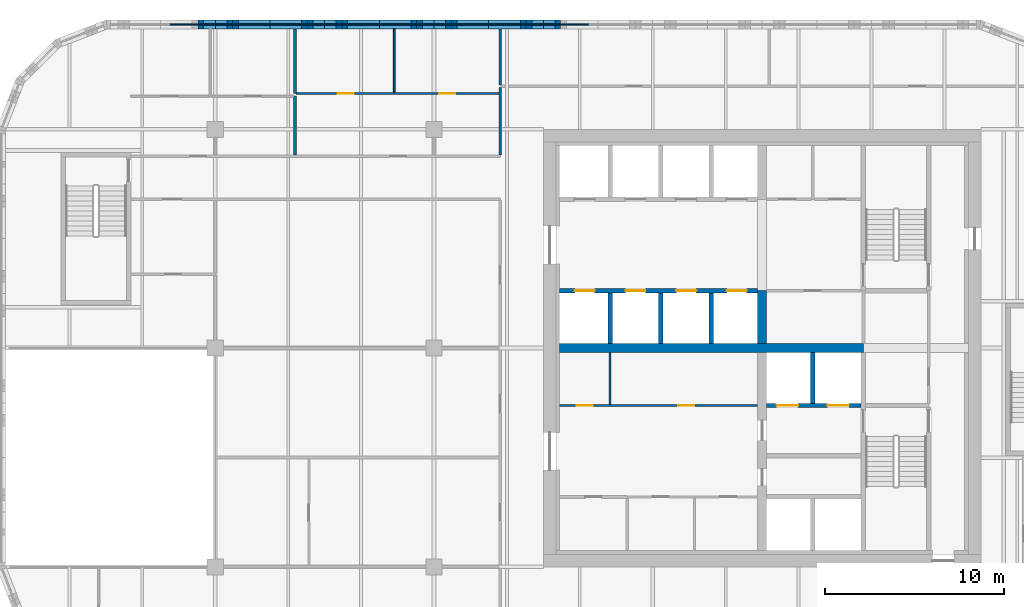
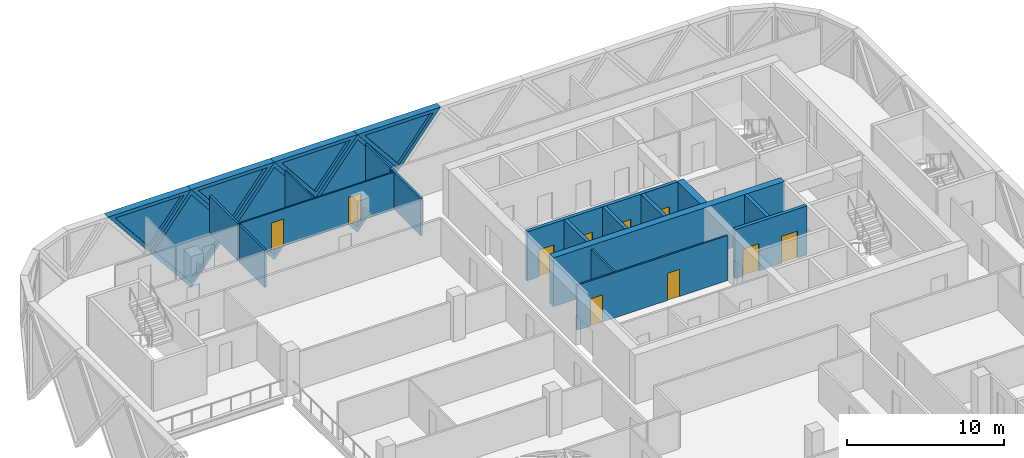
# One storey, part 11 of 15: 23 walls, 10 doors, 7 plates, 17 openings.
"""IFC4 building model written with IfcOpenShell, lengths in metres."""

import ifcopenshell
import ifcopenshell.guid

model = None  # the IFC model being written
_history = None  # IfcOwnerHistory: only IFC2X3 demands one
_inside = {}  # id of a spatial element -> (the spatial element, [elements in it])
_under = {}  # id of a project, library or spatial element -> (it, [spatial elements below it])
_declared = {}  # id of a project -> (the project, [libraries it declares])
_typed = {}  # id of a type object -> (the type object, [elements of that type])
_made_of = {}  # id of a material, layer set ... -> (it, [elements and type objects made of it])


def new_model(schema):
    """Start an empty IFC model of exactly this schema.

    Asked for "IFC4X3", IfcOpenShell would pick the latest addendum, in which some entities
    have other attributes; the version numbers below select the first issue.
    IFC2X3 requires an IfcOwnerHistory on every rooted entity: one is made here for all.
    """
    global model, _history
    if schema == "IFC4X3":
        model = ifcopenshell.file(schema_version=(4, 3, 0, 0))
    else:
        model = ifcopenshell.file(schema=schema)
    _inside.clear()
    _under.clear()
    _declared.clear()
    _typed.clear()
    _made_of.clear()
    _history = None
    if model.schema == "IFC2X3":
        org = make("IfcOrganization", Name="unknown")
        user = make(
            "IfcPersonAndOrganization",
            ThePerson=make("IfcPerson", FamilyName="unknown"),
            TheOrganization=org,
        )
        app = make(
            "IfcApplication",
            ApplicationDeveloper=org,
            Version="unknown",
            ApplicationFullName="unknown",
            ApplicationIdentifier="unknown",
        )
        _history = make(
            "IfcOwnerHistory",
            OwningUser=user,
            OwningApplication=app,
            ChangeAction="ADDED",
            CreationDate=0,
        )
    return model


def make(cls, **values):
    """One entity of the class cls with the attributes given. An attribute that is None is left unset."""
    return model.create_entity(
        cls, **{name: value for name, value in values.items() if value is not None}
    )


def rooted(cls, **values):
    """An entity with a GlobalId (a new one), such as an element, a storey or a relation."""
    return make(cls, GlobalId=ifcopenshell.guid.new(), OwnerHistory=_history, **values)


def si_unit(unit_type, name, prefix=None):
    """IfcSIUnit, for example si_unit("LENGTHUNIT", "METRE", prefix="MILLI")."""
    return make("IfcSIUnit", UnitType=unit_type, Prefix=prefix, Name=name)


def assignment(units):
    """IfcUnitAssignment: the units of a project."""
    return None if units is None else make("IfcUnitAssignment", Units=units)


def point(xyz):
    """IfcCartesianPoint."""
    return None if xyz is None else make("IfcCartesianPoint", Coordinates=xyz)


def direction(xyz):
    """IfcDirection."""
    return None if xyz is None else make("IfcDirection", DirectionRatios=xyz)


def frame(location, z_axis=None, x_axis=None):
    """IfcAxis2Placement3D, a coordinate frame: its origin and axes. An axis left out is left unset."""
    return make(
        "IfcAxis2Placement3D",
        Location=point(location),
        Axis=direction(z_axis),
        RefDirection=direction(x_axis),
    )


def frame_2d(location, x_axis=None):
    """IfcAxis2Placement2D, a coordinate frame in the plane: its origin and x axis."""
    return make(
        "IfcAxis2Placement2D", Location=point(location), RefDirection=direction(x_axis)
    )


def origin():
    """The frame at (0, 0, 0) with its axes left unset."""
    return frame((0.0, 0.0, 0.0))


def place(relative_to, where):
    """IfcLocalPlacement: puts the frame where relative to a parent placement (None: the world)."""
    return make(
        "IfcLocalPlacement", PlacementRelTo=relative_to, RelativePlacement=where
    )


def context(
    kind, dimensions, precision=None, world=None, true_north=None, identifier=None
):
    """IfcGeometricRepresentationContext, for example the 3D "Model" context."""
    return make(
        "IfcGeometricRepresentationContext",
        ContextIdentifier=identifier,
        ContextType=kind,
        CoordinateSpaceDimension=dimensions,
        Precision=precision,
        WorldCoordinateSystem=world,
        TrueNorth=true_north,
    )


def subcontext(parent, identifier, kind, view, scale=None):
    """IfcGeometricRepresentationSubContext, for example "Body" below "Model"."""
    return make(
        "IfcGeometricRepresentationSubContext",
        ContextIdentifier=identifier,
        ContextType=kind,
        ParentContext=parent,
        TargetScale=scale,
        TargetView=view,
    )


def project(units=None, contexts=None):
    """IfcProject with its units and contexts."""
    return rooted(
        "IfcProject",
        Name="project",
        RepresentationContexts=contexts,
        UnitsInContext=assignment(units),
    )


def spatial(cls, under=None, at=None, **own):
    """A site, building, storey or space (cls), placed at a placement, below another one or the project."""
    s = rooted(cls, ObjectPlacement=at, **own)
    if under is not None:
        _under.setdefault(under.id(), (under, []))[1].append(s)
    return s


def polyline(points):
    """IfcPolyline through the points."""
    return make("IfcPolyline", Points=[point(p) for p in points])


def profile(cls, at=None, kind="AREA", **sizes):
    """A parametric profile (cls). Its sizes go by their IFC names, for example OverallWidth=200.0."""
    return make(cls, ProfileType=kind, Position=at, **sizes)


def rectangle(**sizes):
    """IfcRectangleProfileDef."""
    return profile("IfcRectangleProfileDef", **sizes)


def outline(outer, holes=None, kind="AREA"):
    """IfcArbitraryClosedProfileDef: a profile drawn as a closed curve; with holes, ...WithVoids."""
    if holes is None:
        return make("IfcArbitraryClosedProfileDef", ProfileType=kind, OuterCurve=outer)
    return make(
        "IfcArbitraryProfileDefWithVoids",
        ProfileType=kind,
        OuterCurve=outer,
        InnerCurves=holes,
    )


def extrude(swept, where, along, depth):
    """IfcExtrudedAreaSolid: the profile swept, set in the frame where, extruded along a direction by depth."""
    return make(
        "IfcExtrudedAreaSolid",
        SweptArea=swept,
        Position=where,
        ExtrudedDirection=direction(along),
        Depth=depth,
    )


def faces_of(points, faces, orient=None, outer=None):
    """IfcFace entities. A face is a list of loops; a loop is a list of indices into points, from 0.

    orient and outer hold one flag for each loop. By default every Orientation is true, the
    first loop of a face is its IfcFaceOuterBound and the others are IfcFaceBound.
    """
    made = []
    for i, loops in enumerate(faces):
        bounds = []
        for j, loop in enumerate(loops):
            is_outer = j == 0 if outer is None else outer[i][j]
            bounds.append(
                make(
                    "IfcFaceOuterBound" if is_outer else "IfcFaceBound",
                    Bound=make("IfcPolyLoop", Polygon=[points[k] for k in loop]),
                    Orientation=True if orient is None else orient[i][j],
                )
            )
        made.append(make("IfcFace", Bounds=bounds))
    return made


def faceted_brep(points, faces, orient=None, outer=None, voids=None):
    """IfcFacetedBrep: a solid bounded by flat faces; with voids (closed shells), ...WithVoids."""
    shared = [point(p) for p in points]
    hull = make("IfcClosedShell", CfsFaces=faces_of(shared, faces, orient, outer))
    if voids is None:
        return make("IfcFacetedBrep", Outer=hull)
    return make(
        "IfcFacetedBrepWithVoids",
        Outer=hull,
        Voids=[
            make(cls, CfsFaces=faces_of(shared, fs, o, b)) for cls, fs, o, b in voids
        ],
    )


def shape(context_of_items, identifier, shape_type, items):
    """IfcShapeRepresentation: the items that make up one representation, for example the "Body"."""
    return make(
        "IfcShapeRepresentation",
        ContextOfItems=context_of_items,
        RepresentationIdentifier=identifier,
        RepresentationType=shape_type,
        Items=items,
    )


def source(mapping_origin, context_of_items, identifier, shape_type, items):
    """IfcRepresentationMap: a shape defined once, which mapped items show again and again."""
    return make(
        "IfcRepresentationMap",
        MappingOrigin=mapping_origin,
        MappedRepresentation=shape(context_of_items, identifier, shape_type, items),
    )


def transform(
    local_origin,
    x_axis=None,
    y_axis=None,
    z_axis=None,
    scale=None,
    scale2=None,
    scale3=None,
    uniform=True,
):
    """IfcCartesianTransformationOperator3D, or its non-uniform kind. x_axis, y_axis, z_axis: its Axis1, 2, 3."""
    if uniform:
        return make(
            "IfcCartesianTransformationOperator3D",
            Axis1=direction(x_axis),
            Axis2=direction(y_axis),
            LocalOrigin=point(local_origin),
            Scale=scale,
            Axis3=direction(z_axis),
        )
    return make(
        "IfcCartesianTransformationOperator3DnonUniform",
        Axis1=direction(x_axis),
        Axis2=direction(y_axis),
        LocalOrigin=point(local_origin),
        Scale=scale,
        Axis3=direction(z_axis),
        Scale2=scale2,
        Scale3=scale3,
    )


def mapped(mapping_source, mapping_target):
    """IfcMappedItem: shows the shape of a source again, moved by a transform."""
    return make(
        "IfcMappedItem", MappingSource=mapping_source, MappingTarget=mapping_target
    )


def material(Name=None, Category=None):
    """IfcMaterial."""
    return make("IfcMaterial", Name=Name, Category=Category)


def layer(
    of_material, thickness, ventilated=None, Name=None, Category=None, Priority=None
):
    """IfcMaterialLayer: one layer of a wall or slab, of a material (None: an air gap)."""
    return make(
        "IfcMaterialLayer",
        Material=of_material,
        LayerThickness=thickness,
        IsVentilated=ventilated,
        Name=Name,
        Category=Category,
        Priority=Priority,
    )


def layer_set(layers, Name=None):
    """IfcMaterialLayerSet."""
    return make("IfcMaterialLayerSet", MaterialLayers=layers, LayerSetName=Name)


def made_of(thing, what):
    """Note that an element or type object is made of a material, layer set ...; save() writes the relation."""
    if what is not None:
        _made_of.setdefault(what.id(), (what, []))[1].append(thing)
    return thing


def type_object(cls, material=None, **own):
    """A type object (cls), such as IfcWallType, which elements share."""
    return made_of(rooted(cls, **own), material)


def element(
    cls,
    number,
    at=None,
    inside=None,
    cuts=None,
    type_object=None,
    material=None,
    context=None,
    identifier="Body",
    shape_type=None,
    held_by="IfcProductDefinitionShape",
    body=None,
    shapes=None,
    **own,
):
    """One element of the class cls, such as IfcWall. Its Tag is "e" and its number.

    at: its placement. inside: the storey or other place that contains it. cuts: it is an
    opening in that element (IfcRelVoidsElement). A single representation is given by context,
    identifier, shape_type and body (its items); several are given by shapes. held_by: the class
    of the entity that holds the representations. save() writes the other relations.
    """
    e = rooted(cls, Tag="e%d" % number, ObjectPlacement=at, **own)
    if body is not None:
        shapes = [shape(context, identifier, shape_type, body)]
    if shapes is not None:
        e.Representation = make(held_by, Representations=shapes)
    if inside is not None:
        _inside.setdefault(inside.id(), (inside, []))[1].append(e)
    if cuts is not None:
        rooted(
            "IfcRelVoidsElement", RelatingBuildingElement=cuts, RelatedOpeningElement=e
        )
    if type_object is not None:
        _typed.setdefault(type_object.id(), (type_object, []))[1].append(e)
    return made_of(e, material)


def fill(opening, filler):
    """IfcRelFillsElement: the door or window that sits in an opening."""
    return rooted(
        "IfcRelFillsElement",
        RelatingOpeningElement=opening,
        RelatedBuildingElement=filler,
    )


def aggregate(whole, parts):
    """IfcRelAggregates: a whole, such as a stair, and the parts it consists of."""
    return rooted("IfcRelAggregates", RelatingObject=whole, RelatedObjects=parts)


def save(model, path):
    """Write the relations noted so far, then the file.

    IfcRelAggregates (storeys below a building ...), IfcRelContainedInSpatialStructure (elements
    in a storey), IfcRelDefinesByType, IfcRelAssociatesMaterial and IfcRelDeclares: one each for
    every whole, place, type object, material and project.
    """
    for whole, parts in _under.values():
        aggregate(whole, parts)
    for where, things in _inside.values():
        rooted(
            "IfcRelContainedInSpatialStructure",
            RelatedElements=things,
            RelatingStructure=where,
        )
    for kind, things in _typed.values():
        rooted("IfcRelDefinesByType", RelatedObjects=things, RelatingType=kind)
    for what, things in _made_of.values():
        rooted("IfcRelAssociatesMaterial", RelatedObjects=things, RelatingMaterial=what)
    for by, libraries in _declared.values():
        rooted("IfcRelDeclares", RelatingContext=by, RelatedDefinitions=libraries)
    model.write(path)


model = new_model("IFC4")

# Units and contexts
model_context = context("Model", 3, precision=1e-05, world=origin(), true_north=direction((0.0, 1.0)))
body_context = subcontext(model_context, "Body", "Model", "MODEL_VIEW")
ifc_project = project(units=[si_unit("LENGTHUNIT", "METRE"), si_unit("AREAUNIT", "SQUARE_METRE"), si_unit("VOLUMEUNIT", "CUBIC_METRE"), si_unit("PLANEANGLEUNIT", "RADIAN"), si_unit("MASSUNIT", "GRAM", prefix="KILO")], contexts=[model_context])

# Site, building, storey
site_placement = place(None, origin())
site = spatial("IfcSite", under=ifc_project, at=site_placement, CompositionType="ELEMENT")
building_placement = place(site_placement, origin())
building = spatial("IfcBuilding", under=site, at=building_placement, Name="Tessera Gate Towers", CompositionType="ELEMENT")
storey_placement = place(building_placement, frame((0.0, 0.0, 146.800048828125)))
storey = spatial("IfcBuildingStorey", under=building, at=storey_placement, Name="L36", CompositionType="ELEMENT", Elevation=146.800048828125)

# Wall, openings, doors
ifc_material_1 = material(Name="Concrete C40/50", Category="concrete")
ifc_layer_1 = layer(ifc_material_1, 0.25)
ifc_layer_set_1 = layer_set([ifc_layer_1], Name="CORE ENCLOSURE WALL 250")
wall_type_1 = type_object("IfcWallType", Name="CORE ENCLOSURE WALL 250", PredefinedType="SOLIDWALL", material=ifc_layer_set_1)
wall_1_placement = place(storey_placement, frame((31.39990234375, 39.800048828125, 0.0), z_axis=(0.0, 0.0, 1.0), x_axis=(1.0, 0.0, 0.0)))
wall_1 = element("IfcWall", 1, at=wall_1_placement, inside=storey, type_object=wall_type_1, Name="L36 shaft and stair enclosure wall", PredefinedType="SOLIDWALL", context=body_context, shape_type="SweptSolid", body=[
    extrude(rectangle(XDim=11.050048828125, YDim=0.25, at=frame_2d((5.52490234375, 0.0))), origin(), (0.0, 0.0, 1.0), 3.800048828125),
])
shared_shape_1 = source(origin(), body_context, "Body", "SweptSolid", [
    extrude(rectangle(XDim=1.10009765625, YDim=2.10009765625, at=frame_2d((0.550048828125, 1.050048828125))), frame((0.0, 0.135009765625, 0.0), z_axis=(0.0, -1.0, 0.0), x_axis=(1.0, 0.0, 0.0)), (0.0, 0.0, 1.0), 0.27001953125),
])
opening_1_placement = place(wall_1_placement, frame((0.862548828125, 0.0, 0.0)))
opening_1 = element("IfcOpeningElement", 2, at=opening_1_placement, cuts=wall_1, Name="Opening LD-HR1", PredefinedType="OPENING", context=body_context, shape_type="MappedRepresentation", body=[
    mapped(shared_shape_1, transform((0.0, 0.0, 0.0), scale=1.0)),
])
opening_2_placement = place(wall_1_placement, frame((3.6875, 0.0, 0.0)))
opening_2 = element("IfcOpeningElement", 3, at=opening_2_placement, cuts=wall_1, Name="Opening LD-HR2", PredefinedType="OPENING", context=body_context, shape_type="MappedRepresentation", body=[
    mapped(shared_shape_1, transform((0.0, 0.0, 0.0), scale=1.0)),
])
opening_3_placement = place(wall_1_placement, frame((6.512451171875, 0.0, 0.0)))
opening_3 = element("IfcOpeningElement", 4, at=opening_3_placement, cuts=wall_1, Name="Opening LD-HR3", PredefinedType="OPENING", context=body_context, shape_type="MappedRepresentation", body=[
    mapped(shared_shape_1, transform((0.0, 0.0, 0.0), scale=1.0)),
])
opening_4_placement = place(wall_1_placement, frame((9.33740234375, 0.0, 0.0)))
opening_4 = element("IfcOpeningElement", 5, at=opening_4_placement, cuts=wall_1, Name="Opening LD-HR4", PredefinedType="OPENING", context=body_context, shape_type="MappedRepresentation", body=[
    mapped(shared_shape_1, transform((0.0, 0.0, 0.0), scale=1.0)),
])
ifc_material_2 = material(Name="Stainless steel", Category="steel")
door_type_1 = type_object("IfcDoorType", Name="CORE DOOR LD 1100x2100", OperationType="DOUBLE_DOOR_SLIDING", PredefinedType="DOOR", material=ifc_material_2)
shared_shape_2 = source(origin(), body_context, "Body", "SweptSolid", [
    extrude(rectangle(XDim=1.10009765625, YDim=2.10009765625, at=frame_2d((0.550048828125, 1.050048828125))), frame((0.0, 0.02490234375, 0.0), z_axis=(0.0, -1.0, 0.0), x_axis=(1.0, 0.0, 0.0)), (0.0, 0.0, 1.0), 0.050048828125),
])
door_1_placement = place(opening_1_placement, origin())
door_1 = element("IfcDoor", 6, at=door_1_placement, inside=storey, type_object=door_type_1, Name="Landing door HR1 L36", OperationType="DOUBLE_DOOR_SLIDING", OverallHeight=2.10009765625, OverallWidth=1.10009765625, PredefinedType="DOOR", context=body_context, shape_type="MappedRepresentation", body=[
    mapped(shared_shape_2, transform((0.0, 0.0, 0.0), scale=1.0)),
])
fill(opening_1, door_1)
door_2_placement = place(opening_2_placement, origin())
door_2 = element("IfcDoor", 7, at=door_2_placement, inside=storey, type_object=door_type_1, Name="Landing door HR2 L36", OperationType="DOUBLE_DOOR_SLIDING", OverallHeight=2.10009765625, OverallWidth=1.10009765625, PredefinedType="DOOR", context=body_context, shape_type="MappedRepresentation", body=[
    mapped(shared_shape_2, transform((0.0, 0.0, 0.0), scale=1.0)),
])
fill(opening_2, door_2)
door_3_placement = place(opening_3_placement, origin())
door_3 = element("IfcDoor", 8, at=door_3_placement, inside=storey, type_object=door_type_1, Name="Landing door HR3 L36", OperationType="DOUBLE_DOOR_SLIDING", OverallHeight=2.10009765625, OverallWidth=1.10009765625, PredefinedType="DOOR", context=body_context, shape_type="MappedRepresentation", body=[
    mapped(shared_shape_2, transform((0.0, 0.0, 0.0), scale=1.0)),
])
fill(opening_3, door_3)
door_4_placement = place(opening_4_placement, origin())
door_4 = element("IfcDoor", 9, at=door_4_placement, inside=storey, type_object=door_type_1, Name="Landing door HR4 L36", OperationType="DOUBLE_DOOR_SLIDING", OverallHeight=2.10009765625, OverallWidth=1.10009765625, PredefinedType="DOOR", context=body_context, shape_type="MappedRepresentation", body=[
    mapped(shared_shape_2, transform((0.0, 0.0, 0.0), scale=1.0)),
])
fill(opening_4, door_4)

wall_2_placement = place(storey_placement, frame((48.22509765625, 33.39990234375, 0.0), z_axis=(0.0, 0.0, 1.0), x_axis=(-1.0, 0.0, 0.0)))
wall_2 = element("IfcWall", 10, at=wall_2_placement, inside=storey, type_object=wall_type_1, Name="L36 shaft and stair enclosure wall", PredefinedType="SOLIDWALL", context=body_context, shape_type="SweptSolid", body=[
    extrude(rectangle(XDim=5.275146484375, YDim=0.25, at=frame_2d((2.6376953125, 0.0))), origin(), (0.0, 0.0, 1.0), 3.800048828125),
])
shared_shape_3 = source(origin(), body_context, "Body", "SweptSolid", [
    extrude(rectangle(XDim=1.199951171875, YDim=2.10009765625, at=frame_2d((0.60009765625, 1.050048828125))), frame((0.0, 0.135009765625, 0.0), z_axis=(0.0, -1.0, 0.0), x_axis=(1.0, 0.0, 0.0)), (0.0, 0.0, 1.0), 0.27001953125),
])
opening_5_placement = place(wall_2_placement, frame((3.512451171875, 0.0, 0.0)))
opening_5 = element("IfcOpeningElement", 11, at=opening_5_placement, cuts=wall_2, Name="Opening LD-FF1", PredefinedType="OPENING", context=body_context, shape_type="MappedRepresentation", body=[
    mapped(shared_shape_3, transform((0.0, 0.0, 0.0), scale=1.0)),
])
opening_6_placement = place(wall_2_placement, frame((0.6875, 0.0, 0.0)))
opening_6 = element("IfcOpeningElement", 12, at=opening_6_placement, cuts=wall_2, Name="Opening LD-FF2", PredefinedType="OPENING", context=body_context, shape_type="MappedRepresentation", body=[
    mapped(shared_shape_3, transform((0.0, 0.0, 0.0), scale=1.0)),
])
ifc_material_3 = material(Name="Stainless steel", Category="steel")
door_type_2 = type_object("IfcDoorType", Name="CORE DOOR LD1200 1200x2100", OperationType="DOUBLE_DOOR_SLIDING", PredefinedType="DOOR", material=ifc_material_3)
shared_shape_4 = source(origin(), body_context, "Body", "SweptSolid", [
    extrude(rectangle(XDim=1.199951171875, YDim=2.10009765625, at=frame_2d((0.60009765625, 1.050048828125))), frame((0.0, 0.02490234375, 0.0), z_axis=(0.0, -1.0, 0.0), x_axis=(1.0, 0.0, 0.0)), (0.0, 0.0, 1.0), 0.050048828125),
])
door_5_placement = place(opening_5_placement, origin())
door_5 = element("IfcDoor", 13, at=door_5_placement, inside=storey, type_object=door_type_2, Name="Landing door FF1 L36", OperationType="DOUBLE_DOOR_SLIDING", OverallHeight=2.10009765625, OverallWidth=1.199951171875, PredefinedType="DOOR", context=body_context, shape_type="MappedRepresentation", body=[
    mapped(shared_shape_4, transform((0.0, 0.0, 0.0), scale=1.0)),
])
fill(opening_5, door_5)
door_6_placement = place(opening_6_placement, origin())
door_6 = element("IfcDoor", 14, at=door_6_placement, inside=storey, type_object=door_type_2, Name="Landing door FF2 L36", OperationType="DOUBLE_DOOR_SLIDING", OverallHeight=2.10009765625, OverallWidth=1.199951171875, PredefinedType="DOOR", context=body_context, shape_type="MappedRepresentation", body=[
    mapped(shared_shape_4, transform((0.0, 0.0, 0.0), scale=1.0)),
])
fill(opening_6, door_6)

# Walls
for number, where, z_axis, x_axis, name in (
    (15, (34.22509765625, 36.85009765625, 0.0), (0.0, 0.0, 1.0), (0.0, 1.0, 0.0), "L36 shaft and stair enclosure wall"),
    (16, (37.050048828125, 36.85009765625, 0.0), (0.0, 0.0, 1.0), (0.0, 1.0, 0.0), "L36 shaft and stair enclosure wall"),
    (17, (39.875, 36.85009765625, 0.0), (0.0, 0.0, 1.0), (0.0, 1.0, 0.0), "L36 shaft and stair enclosure wall"),
):
    element("IfcWall", number, at=place(storey_placement, frame(where, z_axis=z_axis, x_axis=x_axis)), inside=storey, type_object=wall_type_1, Name=name, PredefinedType="SOLIDWALL", context=body_context, shape_type="SweptSolid", body=[
        extrude(rectangle(XDim=2.824951171875, YDim=0.25, at=frame_2d((1.41259765625, 0.0))), origin(), (0.0, 0.0, 1.0), 3.800048828125),
    ])
wall_3_placement = place(storey_placement, frame((45.52490234375, 33.52490234375, 0.0), z_axis=(0.0, 0.0, 1.0), x_axis=(0.0, 1.0, 0.0)))
element("IfcWall", 18, at=wall_3_placement, inside=storey, type_object=wall_type_1, Name="L36 shaft and stair enclosure wall", PredefinedType="SOLIDWALL", context=body_context, shape_type="SweptSolid", body=[
    extrude(rectangle(XDim=2.8251953125, YDim=0.25, at=frame_2d((1.41259765625, 0.0))), origin(), (0.0, 0.0, 1.0), 3.800048828125),
])

# Wall, openings, doors
ifc_material_4 = material(Name="Gypsum board on steel studs", Category="steel")
ifc_layer_2 = layer(ifc_material_4, 0.1201171875)
ifc_layer_set_2 = layer_set([ifc_layer_2], Name="CORE PARTITION 120")
wall_type_2 = type_object("IfcWallType", Name="CORE PARTITION 120", PredefinedType="PARTITIONING", material=ifc_layer_set_2)
wall_4_placement = place(storey_placement, frame((31.39990234375, 33.39990234375, 0.0), z_axis=(0.0, 0.0, 1.0), x_axis=(1.0, 0.0, 0.0)))
wall_4 = element("IfcWall", 19, at=wall_4_placement, inside=storey, type_object=wall_type_2, Name="L36 core partition", PredefinedType="PARTITIONING", context=body_context, shape_type="SweptSolid", body=[
    extrude(rectangle(XDim=11.050048828125, YDim=0.1201171875, at=frame_2d((5.52490234375, 0.0))), origin(), (0.0, 0.0, 1.0), 3.5),
])
shared_shape_5 = source(origin(), body_context, "Body", "SweptSolid", [
    extrude(rectangle(XDim=0.89990234375, YDim=2.10009765625, at=frame_2d((0.449951171875, 1.050048828125))), frame((0.0, 0.070068359375, 0.0), z_axis=(0.0, -1.0, 0.0), x_axis=(1.0, 0.0, 0.0)), (0.0, 0.0, 1.0), 0.14013671875),
])
opening_7_placement = place(wall_4_placement, frame((0.96240234375, 0.0, 0.0)))
opening_7 = element("IfcOpeningElement", 20, at=opening_7_placement, cuts=wall_4, Name="Opening RD-T1-23-07", PredefinedType="OPENING", context=body_context, shape_type="MappedRepresentation", body=[
    mapped(shared_shape_5, transform((0.0, 0.0, 0.0), scale=1.0)),
])
opening_8_placement = place(wall_4_placement, frame((6.612548828125, 0.0, 0.0)))
opening_8 = element("IfcOpeningElement", 21, at=opening_8_placement, cuts=wall_4, Name="Opening RD-T1-23-08", PredefinedType="OPENING", context=body_context, shape_type="MappedRepresentation", body=[
    mapped(shared_shape_5, transform((0.0, 0.0, 0.0), scale=1.0)),
])
ifc_material_5 = material(Name="Hollow steel fire door", Category="steel")
door_type_3 = type_object("IfcDoorType", Name="CORE DOOR RD 900x2100", OperationType="NOTDEFINED", PredefinedType="DOOR", material=ifc_material_5)
shared_shape_6 = source(origin(), body_context, "Body", "SweptSolid", [
    extrude(rectangle(XDim=0.89990234375, YDim=2.10009765625, at=frame_2d((0.449951171875, 1.050048828125))), frame((0.0, 0.02490234375, 0.0), z_axis=(0.0, -1.0, 0.0), x_axis=(1.0, 0.0, 0.0)), (0.0, 0.0, 1.0), 0.050048828125),
])
door_7_placement = place(opening_7_placement, origin())
door_7 = element("IfcDoor", 22, at=door_7_placement, inside=storey, type_object=door_type_3, Name="Core room door", OperationType="SINGLE_SWING_LEFT", OverallHeight=2.10009765625, OverallWidth=0.89990234375, PredefinedType="DOOR", context=body_context, shape_type="MappedRepresentation", body=[
    mapped(shared_shape_6, transform((0.0, 0.0, 0.0), scale=1.0)),
])
fill(opening_7, door_7)
door_8_placement = place(opening_8_placement, origin())
door_8 = element("IfcDoor", 23, at=door_8_placement, inside=storey, type_object=door_type_3, Name="Core room door", OperationType="SINGLE_SWING_RIGHT", OverallHeight=2.10009765625, OverallWidth=0.89990234375, PredefinedType="DOOR", context=body_context, shape_type="MappedRepresentation", body=[
    mapped(shared_shape_6, transform((0.0, 0.0, 0.0), scale=1.0)),
])
fill(opening_8, door_8)

# Walls
wall_5_placement = place(storey_placement, frame((34.22509765625, 33.4599609375, 0.0), z_axis=(0.0, 0.0, 1.0), x_axis=(0.0, 1.0, 0.0)))
element("IfcWall", 24, at=wall_5_placement, inside=storey, type_object=wall_type_2, Name="L36 core partition", PredefinedType="PARTITIONING", context=body_context, shape_type="SweptSolid", body=[
    extrude(rectangle(XDim=2.89013671875, YDim=0.1201171875, at=frame_2d((1.445068359375, 0.0))), origin(), (0.0, 0.0, 1.0), 3.5),
])
ifc_material_6 = material(Name="Concrete C60/75", Category="concrete")
ifc_layer_3 = layer(ifc_material_6, 0.5)
ifc_layer_set_3 = layer_set([ifc_layer_3], Name="CORE SPINE WALL 500 C60/75")
wall_type_3 = type_object("IfcWallType", Name="CORE SPINE WALL 500 C60/75", PredefinedType="SHEAR", material=ifc_layer_set_3)
wall_6_placement = place(storey_placement, frame((31.39990234375, 36.60009765625, 0.0), z_axis=(0.0, 0.0, 1.0), x_axis=(1.0, 0.0, 0.0)))
element("IfcWall", 25, at=wall_6_placement, inside=storey, type_object=wall_type_3, Name="Core wall spine L36", PredefinedType="SHEAR", context=body_context, shape_type="SweptSolid", body=[
    extrude(rectangle(XDim=16.9501953125, YDim=0.5, at=frame_2d((8.47509765625, 0.0))), origin(), (0.0, 0.0, 1.0), 3.800048828125),
])
wall_7_placement = place(storey_placement, frame((42.699951171875, 36.85009765625, 0.0), z_axis=(0.0, 0.0, 1.0), x_axis=(0.0, 1.0, 0.0)))
element("IfcWall", 26, at=wall_7_placement, inside=storey, type_object=wall_type_3, Name="Core wall spine L36", PredefinedType="SHEAR", context=body_context, shape_type="SweptSolid", body=[
    extrude(rectangle(XDim=2.949951171875, YDim=0.5, at=frame_2d((1.47509765625, 0.0))), origin(), (0.0, 0.0, 1.0), 3.800048828125),
])
ifc_material_7 = material(Name="Gypsum board on steel studs, mineral wool", Category="steel")
ifc_layer_4 = layer(ifc_material_7, 0.14990234375)
ifc_layer_set_4 = layer_set([ifc_layer_4], Name="CORRIDOR WALL 150")
wall_type_4 = type_object("IfcWallType", Name="CORRIDOR WALL 150", PredefinedType="PARTITIONING", material=ifc_layer_set_4)
wall_8_placement = place(storey_placement, frame((28.10009765625, 47.3759765625, 0.0), z_axis=(0.0, 0.0, 1.0), x_axis=(0.0, 1.0, 0.0)))
element("IfcWall", 27, at=wall_8_placement, inside=storey, type_object=wall_type_4, Name="T1-L36-PW-043", PredefinedType="PARTITIONING", context=body_context, shape_type="SweptSolid", body=[
    extrude(rectangle(XDim=3.748046875, YDim=0.14990234375, at=frame_2d((1.8740234375, 0.0))), origin(), (0.0, 0.0, 1.0), 2.887939453125),
])

# Wall, openings, doors
ifc_material_8 = material(Name="Gypsum board on steel studs", Category="steel")
ifc_layer_5 = layer(ifc_material_8, 0.10009765625)
ifc_layer_set_5 = layer_set([ifc_layer_5], Name="PARTITION 100")
wall_type_5 = type_object("IfcWallType", Name="PARTITION 100", PredefinedType="PARTITIONING", material=ifc_layer_set_5)
wall_9_placement = place(storey_placement, frame((16.72607421875, 50.800048828125, 0.0), z_axis=(0.0, 0.0, 1.0), x_axis=(1.0, 0.0, 0.0)))
wall_9 = element("IfcWall", 28, at=wall_9_placement, inside=storey, type_object=wall_type_5, Name="T1-L36-PW-050", PredefinedType="PARTITIONING", context=body_context, shape_type="SweptSolid", body=[
    extrude(rectangle(XDim=11.2978515625, YDim=0.10009765625, at=frame_2d((5.64892578125, 0.0))), origin(), (0.0, 0.0, 1.0), 2.887939453125),
])
shared_shape_7 = source(origin(), body_context, "Body", "SweptSolid", [
    extrude(rectangle(XDim=0.89990234375, YDim=2.10009765625, at=frame_2d((0.449951171875, 1.050048828125))), frame((0.0, 0.06005859375, 0.0), z_axis=(0.0, -1.0, 0.0), x_axis=(1.0, 0.0, 0.0)), (0.0, 0.0, 1.0), 0.1201171875),
])
opening_9_placement = place(wall_9_placement, frame((2.300048828125, 0.0, 0.0)))
opening_9 = element("IfcOpeningElement", 29, at=opening_9_placement, cuts=wall_9, Name="Opening D190-A13-04", PredefinedType="OPENING", context=body_context, shape_type="MappedRepresentation", body=[
    mapped(shared_shape_7, transform((0.0, 0.0, 0.0), scale=1.0)),
])
opening_10_placement = place(wall_9_placement, frame((7.955322265625, 0.0, 0.0)))
opening_10 = element("IfcOpeningElement", 30, at=opening_10_placement, cuts=wall_9, Name="Opening D190-A13-05", PredefinedType="OPENING", context=body_context, shape_type="MappedRepresentation", body=[
    mapped(shared_shape_7, transform((0.0, 0.0, 0.0), scale=1.0)),
])
ifc_material_9 = material(Name="Timber door leaf in steel frame", Category="steel")
door_type_4 = type_object("IfcDoorType", Name="INTERNAL DOOR 900 NOT RATED", OperationType="NOTDEFINED", PredefinedType="DOOR", material=ifc_material_9)
door_9_placement = place(opening_9_placement, origin())
door_9 = element("IfcDoor", 31, at=door_9_placement, inside=storey, type_object=door_type_4, Name="T1-L36-PD-009", OperationType="SINGLE_SWING_LEFT", OverallHeight=2.10009765625, OverallWidth=0.89990234375, PredefinedType="DOOR", context=body_context, shape_type="MappedRepresentation", body=[
    mapped(shared_shape_6, transform((0.0, 0.0, 0.0), scale=1.0)),
])
fill(opening_9, door_9)
door_10_placement = place(opening_10_placement, origin())
door_10 = element("IfcDoor", 32, at=door_10_placement, inside=storey, type_object=door_type_4, Name="T1-L36-PD-010", OperationType="SINGLE_SWING_LEFT", OverallHeight=2.10009765625, OverallWidth=0.89990234375, PredefinedType="DOOR", context=body_context, shape_type="MappedRepresentation", body=[
    mapped(shared_shape_6, transform((0.0, 0.0, 0.0), scale=1.0)),
])
fill(opening_10, door_10)

# Walls
wall_10_placement = place(storey_placement, frame((22.180908203125, 50.85107421875, 0.0), z_axis=(0.0, 0.0, 1.0), x_axis=(0.0, 1.0, 0.0)))
element("IfcWall", 33, at=wall_10_placement, inside=storey, type_object=wall_type_5, Name="T1-L36-PW-051", PredefinedType="PARTITIONING", context=body_context, shape_type="SweptSolid", body=[
    extrude(rectangle(XDim=3.548828125, YDim=0.10009765625, at=frame_2d((1.7744140625, 0.0))), origin(), (0.0, 0.0, 1.0), 2.887939453125),
])
ifc_material_10 = material(Name="Gypsum board on steel studs, mineral wool", Category="steel")
ifc_layer_6 = layer(ifc_material_10, 0.14990234375)
ifc_layer_set_6 = layer_set([ifc_layer_6], Name="TENANCY WALL 150")
wall_type_6 = type_object("IfcWallType", Name="TENANCY WALL 150", PredefinedType="PARTITIONING", material=ifc_layer_set_6)
wall_11_placement = place(storey_placement, frame((16.64990234375, 47.3759765625, 0.0), z_axis=(0.0, 0.0, 1.0), x_axis=(0.0, 1.0, 0.0)))
element("IfcWall", 34, at=wall_11_placement, inside=storey, type_object=wall_type_6, Name="T1-L36-PW-042", PredefinedType="PARTITIONING", context=body_context, shape_type="SweptSolid", body=[
    extrude(rectangle(XDim=3.27392578125, YDim=0.14990234375, at=frame_2d((1.636962890625, 0.0))), origin(), (0.0, 0.0, 1.0), 2.887939453125),
])
wall_12_placement = place(storey_placement, frame((16.64990234375, 50.800048828125, 0.0), z_axis=(0.0, 0.0, 1.0), x_axis=(0.0, 1.0, 0.0)))
element("IfcWall", 35, at=wall_12_placement, inside=storey, type_object=wall_type_6, Name="T1-L36-PW-049", PredefinedType="PARTITIONING", context=body_context, shape_type="SweptSolid", body=[
    extrude(rectangle(XDim=3.599853515625, YDim=0.14990234375, at=frame_2d((1.7998046875, 0.0))), origin(), (0.0, 0.0, 1.0), 2.887939453125),
])
wall_13_placement = place(storey_placement, frame((28.10009765625, 51.27587890625, 0.0), z_axis=(0.0, 0.0, 1.0), x_axis=(0.0, 1.0, 0.0)))
element("IfcWall", 36, at=wall_13_placement, inside=storey, type_object=wall_type_6, Name="T1-L36-PW-053", PredefinedType="PARTITIONING", context=body_context, shape_type="SweptSolid", body=[
    extrude(rectangle(XDim=3.1240234375, YDim=0.14990234375, at=frame_2d((1.56201171875, 0.0))), origin(), (0.0, 0.0, 1.0), 2.887939453125),
])

# Wall, opening, plate
ifc_material_11 = material(Name="Precast concrete C60/75 white", Category="concrete")
ifc_layer_7 = layer(ifc_material_11, 0.5)
ifc_layer_set_7 = layer_set([ifc_layer_7], Name="TS1 tessera")
wall_type_7 = type_object("IfcWallType", Name="TS1 tessera", PredefinedType="SOLIDWALL", material=ifc_layer_set_7)
shared_shape_8 = source(origin(), body_context, "Body", "Brep", [
    faceted_brep([(3.050048828125, -0.25, 0.0), (6.099853515625, -0.25, 3.7998046875), (6.099853515625, -0.25, 3.80029296875), (3.050048828125, -0.25, 7.60009765625), (0.0, -0.25, 3.800048828125), (0.0, 0.25, 3.800048828125), (3.050048828125, 0.25, 7.60009765625), (6.099853515625, 0.25, 3.80029296875), (6.099853515625, 0.25, 3.7998046875), (3.050048828125, 0.25, 0.0)], [[[0, 1, 2, 3, 4]], [[5, 6, 7, 8, 9]], [[9, 8, 1, 0]], [[7, 6, 3, 2]], [[6, 5, 4, 3]], [[5, 9, 0, 4]], [[1, 8, 7, 2]]]),
])
wall_14_placement = place(storey_placement, frame((24.39990234375, 54.64990234375, -3.800048828125), z_axis=(0.0, 0.0, 1.0), x_axis=(-1.0, 0.0, 0.0)))
wall_14 = element("IfcWall", 37, at=wall_14_placement, inside=storey, type_object=wall_type_7, Name="Precast tessera T1 TS1-0636", PredefinedType="SOLIDWALL", context=body_context, shape_type="MappedRepresentation", body=[
    mapped(shared_shape_8, transform((0.0, 0.0, 0.0), scale=1.0)),
])
shared_shape_9 = source(origin(), body_context, "Body", "SweptSolid", [
    extrude(outline(polyline([(3.050048828125, 0.3994140625), (5.779541015625, 3.800048828125), (3.050048828125, 7.20068359375), (0.320556640625, 3.800048828125), (3.050048828125, 0.3994140625)])), frame((0.0, 0.260009765625, 0.0), z_axis=(0.0, -1.0, 0.0), x_axis=(1.0, 0.0, 0.0)), (0.0, 0.0, 1.0), 0.52001953125),
])
opening_11_placement = place(wall_14_placement, origin())
opening_11 = element("IfcOpeningElement", 38, at=opening_11_placement, cuts=wall_14, Name="Opening T1-PL2-1292", PredefinedType="OPENING", context=body_context, shape_type="MappedRepresentation", body=[
    mapped(shared_shape_9, transform((0.0, 0.0, 0.0), scale=1.0)),
])
ifc_material_12 = material(Name="Low-e laminated glass", Category="glass")
ifc_layer_8 = layer(ifc_material_12, 0.06005859375)
ifc_layer_set_8 = layer_set([ifc_layer_8], Name="PL2 rhombic pane")
plate_type_1 = type_object("IfcPlateType", Name="PL2 rhombic pane", PredefinedType="SHEET", material=ifc_layer_set_8)
shared_shape_10 = source(origin(), body_context, "Body", "SweptSolid", [
    extrude(outline(polyline([(3.050048828125, 0.3994140625), (5.779541015625, 3.800048828125), (3.050048828125, 7.20068359375), (0.320556640625, 3.800048828125), (3.050048828125, 0.3994140625)])), frame((0.0, 0.030029296875, 0.0), z_axis=(0.0, -1.0, 0.0), x_axis=(1.0, 0.0, 0.0)), (0.0, 0.0, 1.0), 0.06005859375),
])
plate_1_placement = place(opening_11_placement, origin())
plate_1 = element("IfcPlate", 39, at=plate_1_placement, inside=storey, type_object=plate_type_1, Name="Glass pane T1 PL2-1292", PredefinedType="SHEET", context=body_context, shape_type="MappedRepresentation", body=[
    mapped(shared_shape_10, transform((0.0, 0.0, 0.0), scale=1.0)),
])
fill(opening_11, plate_1)

shared_shape_11 = source(origin(), body_context, "Body", "SweptSolid", [
    extrude(outline(polyline([(3.050048828125, 0.0), (6.10009765625, 3.800048828125), (3.050048828125, 7.60009765625), (0.0, 3.800048828125), (3.050048828125, 0.0)])), frame((0.0, 0.25, 0.0), z_axis=(0.0, -1.0, 0.0), x_axis=(1.0, 0.0, 0.0)), (0.0, 0.0, 1.0), 0.5),
])
wall_15_placement = place(storey_placement, frame((30.5, 54.64990234375, -3.800048828125), z_axis=(0.0, 0.0, 1.0), x_axis=(-1.0, 0.0, 0.0)))
wall_15 = element("IfcWall", 40, at=wall_15_placement, inside=storey, type_object=wall_type_7, Name="Precast tessera T1 TS1-0635", PredefinedType="SOLIDWALL", context=body_context, shape_type="MappedRepresentation", body=[
    mapped(shared_shape_11, transform((0.0, 0.0, 0.0), scale=1.0)),
])
opening_12_placement = place(wall_15_placement, origin())
opening_12 = element("IfcOpeningElement", 41, at=opening_12_placement, cuts=wall_15, Name="Opening T1-PL2-1291", PredefinedType="OPENING", context=body_context, shape_type="MappedRepresentation", body=[
    mapped(shared_shape_9, transform((0.0, 0.0, 0.0), scale=1.0)),
])
plate_2_placement = place(opening_12_placement, origin())
plate_2 = element("IfcPlate", 42, at=plate_2_placement, inside=storey, type_object=plate_type_1, Name="Glass pane T1 PL2-1291", PredefinedType="SHEET", context=body_context, shape_type="MappedRepresentation", body=[
    mapped(shared_shape_10, transform((0.0, 0.0, 0.0), scale=1.0)),
])
fill(opening_12, plate_2)

wall_16_placement = place(storey_placement, frame((18.300048828125, 54.64990234375, -3.800048828125), z_axis=(0.0, 0.0, 1.0), x_axis=(-1.0, 0.0, 0.0)))
wall_16 = element("IfcWall", 43, at=wall_16_placement, inside=storey, type_object=wall_type_7, Name="Precast tessera T1 TS1-0637", PredefinedType="SOLIDWALL", context=body_context, shape_type="MappedRepresentation", body=[
    mapped(shared_shape_11, transform((0.0, 0.0, 0.0), scale=1.0)),
])
opening_13_placement = place(wall_16_placement, origin())
opening_13 = element("IfcOpeningElement", 44, at=opening_13_placement, cuts=wall_16, Name="Opening T1-PL2-1293", PredefinedType="OPENING", context=body_context, shape_type="MappedRepresentation", body=[
    mapped(shared_shape_9, transform((0.0, 0.0, 0.0), scale=1.0)),
])
plate_3_placement = place(opening_13_placement, origin())
plate_3 = element("IfcPlate", 45, at=plate_3_placement, inside=storey, type_object=plate_type_1, Name="Glass pane T1 PL2-1293", PredefinedType="SHEET", context=body_context, shape_type="MappedRepresentation", body=[
    mapped(shared_shape_10, transform((0.0, 0.0, 0.0), scale=1.0)),
])
fill(opening_13, plate_3)

ifc_material_13 = material(Name="Precast concrete C60/75 white", Category="concrete")
ifc_layer_9 = layer(ifc_material_13, 0.5)
ifc_layer_set_9 = layer_set([ifc_layer_9], Name="TS2 half tessera")
wall_type_8 = type_object("IfcWallType", Name="TS2 half tessera", PredefinedType="SOLIDWALL", material=ifc_layer_set_9)
shared_shape_12 = source(origin(), body_context, "Body", "Brep", [
    faceted_brep([(3.050048828125, -0.25, 0.0), (6.099853515625, -0.25, 3.7998046875), (6.099853515625, -0.25, 3.800048828125), (0.0, -0.25, 3.800048828125), (0.0, 0.25, 3.800048828125), (6.099853515625, 0.25, 3.800048828125), (6.099853515625, 0.25, 3.7998046875), (3.050048828125, 0.25, 0.0)], [[[0, 1, 2, 3]], [[4, 5, 6, 7]], [[7, 6, 1, 0]], [[5, 4, 3, 2]], [[4, 7, 0, 3]], [[1, 6, 5, 2]]]),
])
wall_17_placement = place(storey_placement, frame((27.449951171875, 54.64990234375, 0.0), z_axis=(0.0, 0.0, 1.0), x_axis=(-1.0, 0.0, 0.0)))
wall_17 = element("IfcWall", 46, at=wall_17_placement, inside=storey, type_object=wall_type_8, Name="Precast half tessera T1 TS2-0175", PredefinedType="SOLIDWALL", context=body_context, shape_type="MappedRepresentation", body=[
    mapped(shared_shape_12, transform((0.0, 0.0, 0.0), scale=1.0)),
])
shared_shape_13 = source(origin(), body_context, "Body", "SweptSolid", [
    extrude(outline(polyline([(3.050048828125, 0.3994140625), (5.578857421875, 3.550048828125), (0.521240234375, 3.550048828125), (3.050048828125, 0.3994140625)])), frame((0.0, 0.260009765625, 0.0), z_axis=(0.0, -1.0, 0.0), x_axis=(1.0, 0.0, 0.0)), (0.0, 0.0, 1.0), 0.52001953125),
])
opening_14_placement = place(wall_17_placement, origin())
opening_14 = element("IfcOpeningElement", 47, at=opening_14_placement, cuts=wall_17, Name="Opening T1-PL1-0353", PredefinedType="OPENING", context=body_context, shape_type="MappedRepresentation", body=[
    mapped(shared_shape_13, transform((0.0, 0.0, 0.0), scale=1.0)),
])
ifc_material_14 = material(Name="Low-e laminated glass", Category="glass")
ifc_layer_10 = layer(ifc_material_14, 0.06005859375)
ifc_layer_set_10 = layer_set([ifc_layer_10], Name="PL1 triangular pane")
plate_type_2 = type_object("IfcPlateType", Name="PL1 triangular pane", PredefinedType="SHEET", material=ifc_layer_set_10)
shared_shape_14 = source(origin(), body_context, "Body", "SweptSolid", [
    extrude(outline(polyline([(3.050048828125, 0.3994140625), (5.578857421875, 3.550048828125), (0.521240234375, 3.550048828125), (3.050048828125, 0.3994140625)])), frame((0.0, 0.030029296875, 0.0), z_axis=(0.0, -1.0, 0.0), x_axis=(1.0, 0.0, 0.0)), (0.0, 0.0, 1.0), 0.06005859375),
])
plate_4_placement = place(opening_14_placement, origin())
plate_4 = element("IfcPlate", 48, at=plate_4_placement, inside=storey, type_object=plate_type_2, Name="Glass pane T1 PL1-0353", PredefinedType="SHEET", context=body_context, shape_type="MappedRepresentation", body=[
    mapped(shared_shape_14, transform((0.0, 0.0, 0.0), scale=1.0)),
])
fill(opening_14, plate_4)

shared_shape_15 = source(origin(), body_context, "Body", "SweptSolid", [
    extrude(outline(polyline([(3.050048828125, 0.0), (6.10009765625, 3.800048828125), (0.0, 3.800048828125), (3.050048828125, 0.0)])), frame((0.0, 0.25, 0.0), z_axis=(0.0, -1.0, 0.0), x_axis=(1.0, 0.0, 0.0)), (0.0, 0.0, 1.0), 0.5),
])
wall_18_placement = place(storey_placement, frame((33.550048828125, 54.64990234375, 0.0), z_axis=(0.0, 0.0, 1.0), x_axis=(-1.0, 0.0, 0.0)))
wall_18 = element("IfcWall", 49, at=wall_18_placement, inside=storey, type_object=wall_type_8, Name="Precast half tessera T1 TS2-0174", PredefinedType="SOLIDWALL", context=body_context, shape_type="MappedRepresentation", body=[
    mapped(shared_shape_15, transform((0.0, 0.0, 0.0), scale=1.0)),
])
opening_15_placement = place(wall_18_placement, origin())
opening_15 = element("IfcOpeningElement", 50, at=opening_15_placement, cuts=wall_18, Name="Opening T1-PL1-0352", PredefinedType="OPENING", context=body_context, shape_type="MappedRepresentation", body=[
    mapped(shared_shape_13, transform((0.0, 0.0, 0.0), scale=1.0)),
])
plate_5_placement = place(opening_15_placement, origin())
plate_5 = element("IfcPlate", 51, at=plate_5_placement, inside=storey, type_object=plate_type_2, Name="Glass pane T1 PL1-0352", PredefinedType="SHEET", context=body_context, shape_type="MappedRepresentation", body=[
    mapped(shared_shape_14, transform((0.0, 0.0, 0.0), scale=1.0)),
])
fill(opening_15, plate_5)

wall_19_placement = place(storey_placement, frame((21.35009765625, 54.64990234375, 0.0), z_axis=(0.0, 0.0, 1.0), x_axis=(-1.0, 0.0, 0.0)))
wall_19 = element("IfcWall", 52, at=wall_19_placement, inside=storey, type_object=wall_type_8, Name="Precast half tessera T1 TS2-0176", PredefinedType="SOLIDWALL", context=body_context, shape_type="MappedRepresentation", body=[
    mapped(shared_shape_15, transform((0.0, 0.0, 0.0), scale=1.0)),
])
opening_16_placement = place(wall_19_placement, origin())
opening_16 = element("IfcOpeningElement", 53, at=opening_16_placement, cuts=wall_19, Name="Opening T1-PL1-0354", PredefinedType="OPENING", context=body_context, shape_type="MappedRepresentation", body=[
    mapped(shared_shape_13, transform((0.0, 0.0, 0.0), scale=1.0)),
])
plate_6_placement = place(opening_16_placement, origin())
plate_6 = element("IfcPlate", 54, at=plate_6_placement, inside=storey, type_object=plate_type_2, Name="Glass pane T1 PL1-0354", PredefinedType="SHEET", context=body_context, shape_type="MappedRepresentation", body=[
    mapped(shared_shape_14, transform((0.0, 0.0, 0.0), scale=1.0)),
])
fill(opening_16, plate_6)

wall_20_placement = place(storey_placement, frame((15.25, 54.64990234375, 0.0), z_axis=(0.0, 0.0, 1.0), x_axis=(-1.0, 0.0, 0.0)))
wall_20 = element("IfcWall", 55, at=wall_20_placement, inside=storey, type_object=wall_type_8, Name="Precast half tessera T1 TS2-0177", PredefinedType="SOLIDWALL", context=body_context, shape_type="MappedRepresentation", body=[
    mapped(shared_shape_15, transform((0.0, 0.0, 0.0), scale=1.0)),
])
opening_17_placement = place(wall_20_placement, origin())
opening_17 = element("IfcOpeningElement", 56, at=opening_17_placement, cuts=wall_20, Name="Opening T1-PL1-0355", PredefinedType="OPENING", context=body_context, shape_type="MappedRepresentation", body=[
    mapped(shared_shape_13, transform((0.0, 0.0, 0.0), scale=1.0)),
])
plate_7_placement = place(opening_17_placement, origin())
plate_7 = element("IfcPlate", 57, at=plate_7_placement, inside=storey, type_object=plate_type_2, Name="Glass pane T1 PL1-0355", PredefinedType="SHEET", context=body_context, shape_type="MappedRepresentation", body=[
    mapped(shared_shape_14, transform((0.0, 0.0, 0.0), scale=1.0)),
])
fill(opening_17, plate_7)

save(model, "model.ifc")
